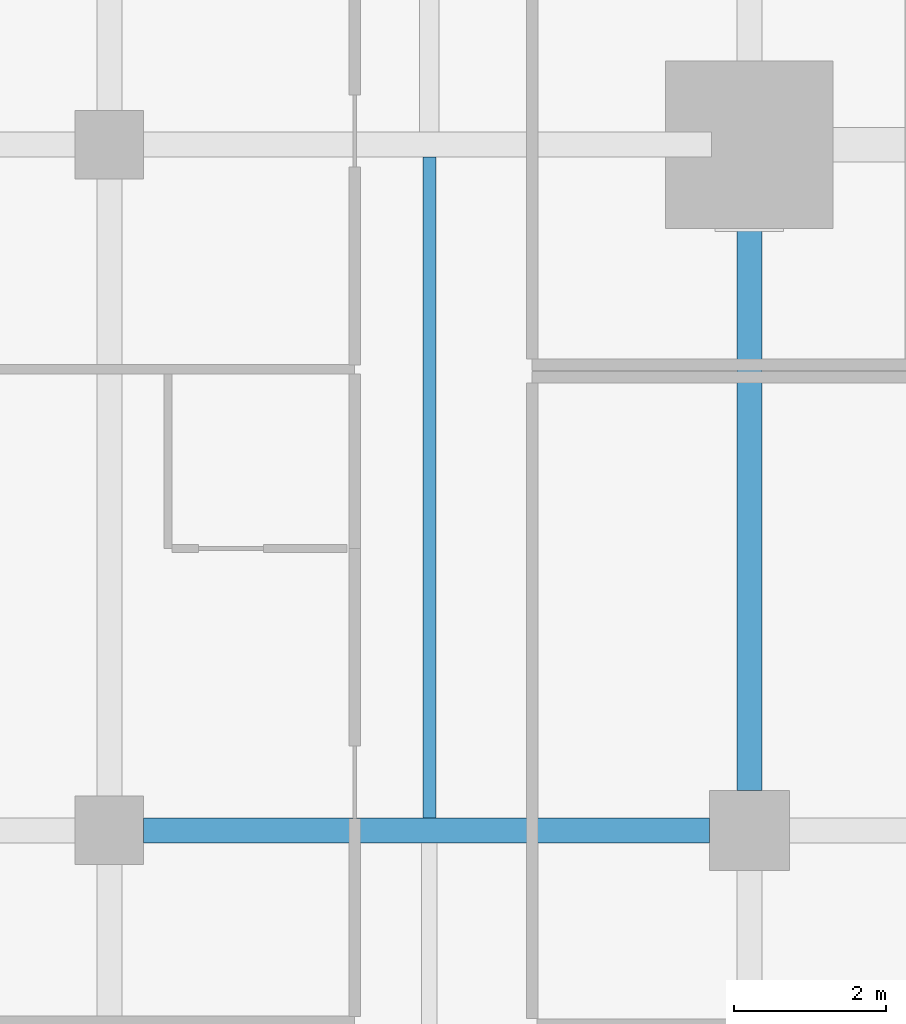
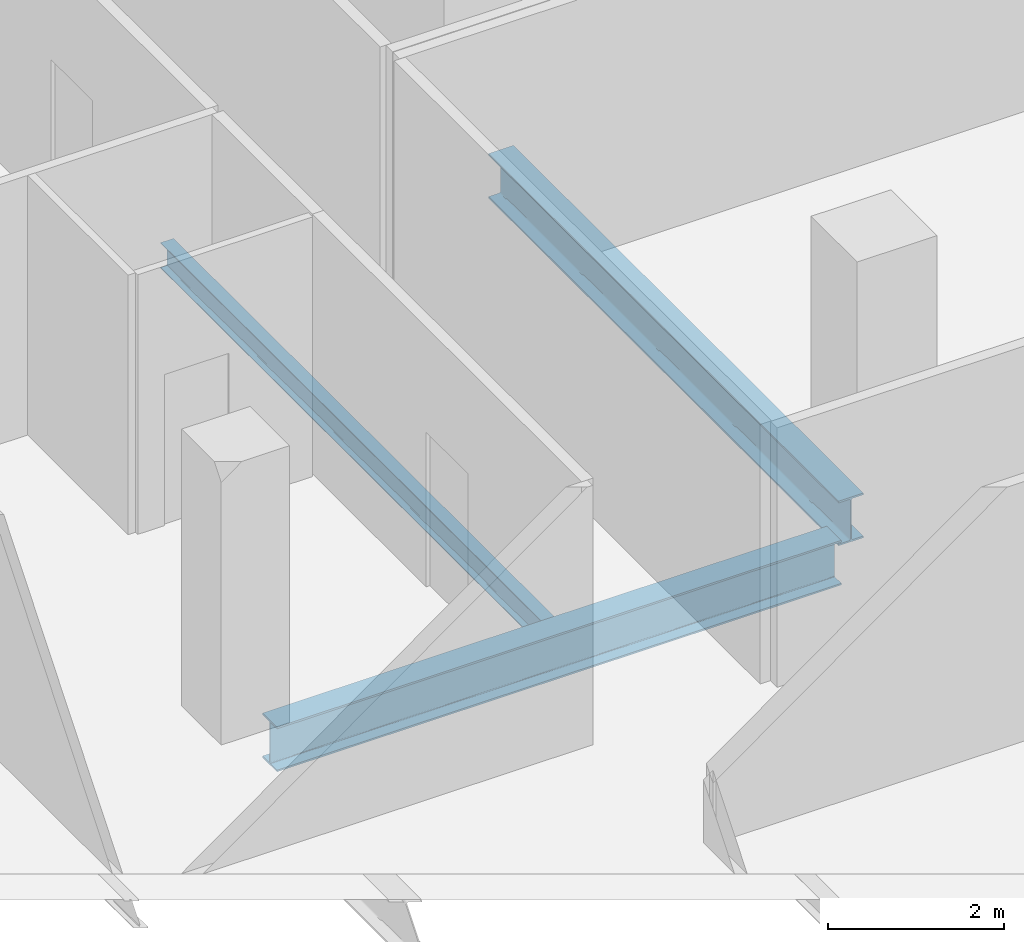
# One storey, part 11 of 39: 3 beams.
"""IFC4 building model written with IfcOpenShell, lengths in metres."""

from ifc_helpers import new_model, si_unit, direction, frame, origin, origin_2d, place, context, subcontext, project, spatial, i_section, extrude, material, material_profile, profile_set, type_object, element, save


model = new_model("IFC4")

# Units and contexts
model_context = context("Model", 3, precision=1e-05, world=origin(), true_north=direction((0.0, 1.0)))
body_context = subcontext(model_context, "Body", "Model", "MODEL_VIEW")
ifc_project = project(units=[si_unit("LENGTHUNIT", "METRE"), si_unit("AREAUNIT", "SQUARE_METRE"), si_unit("VOLUMEUNIT", "CUBIC_METRE"), si_unit("PLANEANGLEUNIT", "RADIAN"), si_unit("MASSUNIT", "GRAM", prefix="KILO")], contexts=[model_context])

# Site, building, storey
site_placement = place(None, origin())
site = spatial("IfcSite", under=ifc_project, at=site_placement, CompositionType="ELEMENT")
building_placement = place(site_placement, origin())
building = spatial("IfcBuilding", under=site, at=building_placement, Name="Maruvema Waterfront Hotel and Observation Tower", CompositionType="ELEMENT")
storey_placement = place(building_placement, frame((0.0, 0.0, 65.449951171875)))
storey = spatial("IfcBuildingStorey", under=building, at=storey_placement, Name="L15", CompositionType="ELEMENT", Elevation=65.449951171875)

# Beams
ifc_material_1 = material(Name="Steel ASTM A572 Grade 50", Category="steel")
ifc_material_profile_1 = material_profile(ifc_material_1, i_section(OverallWidth=0.326904296875, OverallDepth=0.6220703125, WebThickness=0.015380859375, FlangeThickness=0.0244140625, FilletRadius=0.01806640625, at=origin_2d()), Name="W610x195.0")
ifc_profile_set_1 = profile_set([ifc_material_profile_1], Name="Steel ASTM A572 Grade 50")
beam_type_1 = type_object("IfcBeamType", Name="Primary Floor Girder W610x195.0", PredefinedType="BEAM", material=ifc_profile_set_1)
beam_1_placement = place(storey_placement, frame((17.25, 18.0, -0.551025390625), z_axis=(1.0, 0.0, 0.0), x_axis=(0.0, 1.0, 0.0)))
element("IfcBeam", 1, at=beam_1_placement, inside=storey, type_object=beam_type_1, Name="L15 Floor Girder EW-14", PredefinedType="BEAM", context=body_context, shape_type="SweptSolid", body=[
    extrude(i_section(OverallWidth=0.326904296875, OverallDepth=0.6220703125, WebThickness=0.015380859375, FlangeThickness=0.0244140625, FilletRadius=0.01806640625, at=origin_2d()), origin(), (0.0, 0.0, 1.0), 7.425048828125),
])
beam_2_placement = place(storey_placement, frame((25.199951171875, 18.52490234375, -0.551025390625), z_axis=(0.0, 1.0, 0.0), x_axis=(-1.0, 0.0, 0.0)))
element("IfcBeam", 2, at=beam_2_placement, inside=storey, type_object=beam_type_1, Name="L15 Floor Girder NS-13", PredefinedType="BEAM", context=body_context, shape_type="SweptSolid", body=[
    extrude(i_section(OverallWidth=0.326904296875, OverallDepth=0.6220703125, WebThickness=0.015380859375, FlangeThickness=0.0244140625, FilletRadius=0.01806640625, at=origin_2d()), origin(), (0.0, 0.0, 1.0), 7.97509765625),
])
ifc_material_2 = material(Name="Steel ASTM A572 Grade 50", Category="steel")
ifc_material_profile_2 = material_profile(ifc_material_2, i_section(OverallWidth=0.1708984375, OverallDepth=0.35498046875, WebThickness=0.007080078125, FlangeThickness=0.01171875, FilletRadius=0.014892578125, at=origin_2d()), Name="W360x51.0")
ifc_profile_set_2 = profile_set([ifc_material_profile_2], Name="Steel ASTM A572 Grade 50")
beam_type_2 = type_object("IfcBeamType", Name="Secondary Floor Joist W360x51.0", PredefinedType="JOIST", material=ifc_profile_set_2)
beam_3_placement = place(storey_placement, frame((21.0, 18.16357421875, -0.41748046875), z_axis=(0.0, 1.0, 0.0), x_axis=(-1.0, 0.0, 0.0)))
element("IfcBeam", 3, at=beam_3_placement, inside=storey, type_object=beam_type_2, Name="L15 Secondary Floor Joist JS-07", PredefinedType="JOIST", context=body_context, shape_type="SweptSolid", body=[
    extrude(i_section(OverallWidth=0.1708984375, OverallDepth=0.35498046875, WebThickness=0.007080078125, FlangeThickness=0.01171875, FilletRadius=0.014892578125, at=origin_2d()), origin(), (0.0, 0.0, 1.0), 8.6728515625),
])

save(model, "model.ifc")
